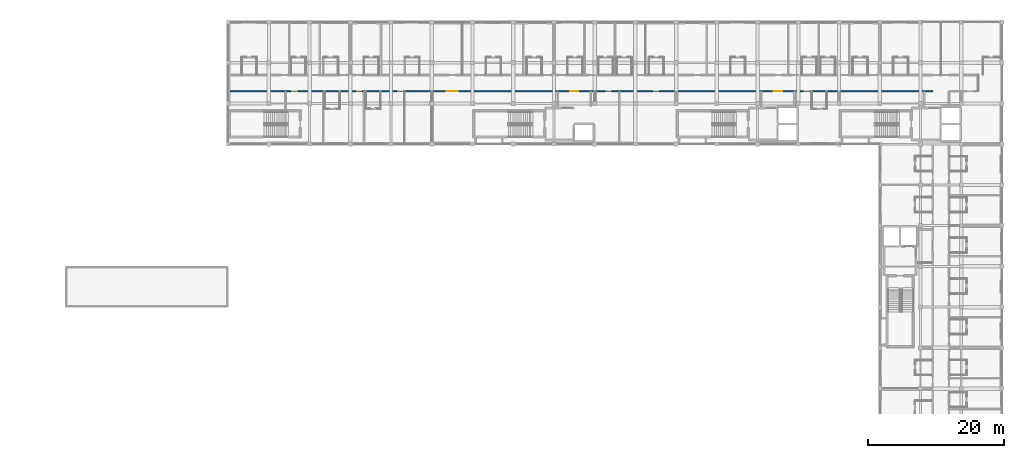
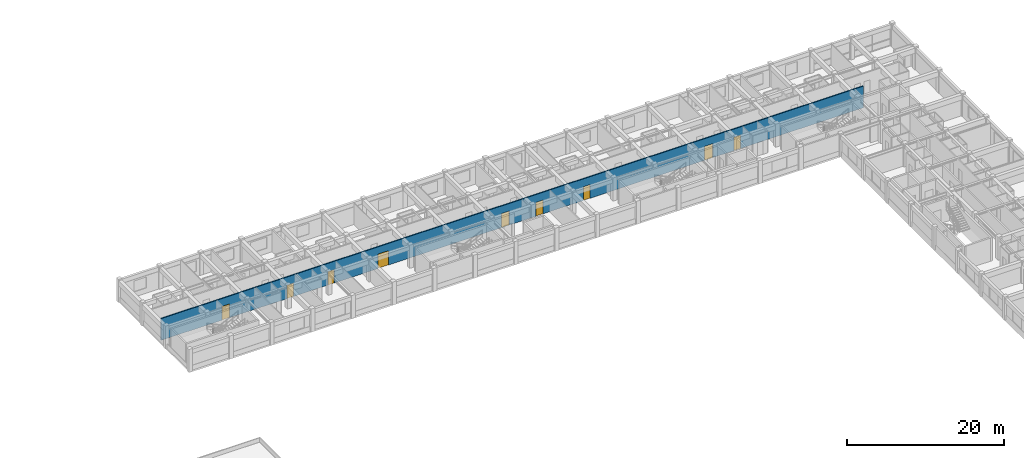
# One storey, part 7 of 25: 9 doors, 1 wall, 9 openings.
"""IFC4 building model written with IfcOpenShell, lengths in metres."""

from ifc_helpers import new_model, si_unit, direction, frame, frame_2d, origin, place, context, subcontext, project, spatial, rectangle, extrude, material, layer, layer_set, type_object, element, fill, save


model = new_model("IFC4")

# Units and contexts
model_context = context("Model", 3, precision=1e-05, world=origin(), true_north=direction((0.0, 1.0)))
body_context = subcontext(model_context, "Body", "Model", "MODEL_VIEW")
ifc_project = project(units=[si_unit("LENGTHUNIT", "METRE"), si_unit("AREAUNIT", "SQUARE_METRE"), si_unit("VOLUMEUNIT", "CUBIC_METRE"), si_unit("PLANEANGLEUNIT", "RADIAN"), si_unit("MASSUNIT", "GRAM", prefix="KILO"), si_unit("THERMODYNAMICTEMPERATUREUNIT", "KELVIN"), si_unit("POWERUNIT", "WATT")], contexts=[model_context])

# Site, building, storey
site_placement = place(None, origin())
site = spatial("IfcSite", under=ifc_project, at=site_placement, CompositionType="ELEMENT")
building_placement = place(site_placement, origin())
building = spatial("IfcBuilding", under=site, at=building_placement, Name="Phaisarnlok Congress Hotel", CompositionType="ELEMENT")
storey_placement = place(building_placement, frame((0.0, 0.0, 24.60009765625)))
storey = spatial("IfcBuildingStorey", under=building, at=storey_placement, Name="L05", CompositionType="ELEMENT", Elevation=24.60009765625)

# Wall, openings, doors
ifc_material_1 = material(Name="Double-Stud Acoustic Gypsum Partition", Category="gypsum")
ifc_layer = layer(ifc_material_1, 0.159912109375, Name="Double-Stud Acoustic Gypsum Partition")
ifc_layer_set = layer_set([ifc_layer], Name="Double-Stud Acoustic Gypsum Partition")
wall_type = type_object("IfcWallType", Name="WL-INT-160", PredefinedType="PARTITIONING", material=ifc_layer_set)
wall_placement = place(storey_placement, frame((66.2548828125, 115.800048828125, 0.0), z_axis=(0.0, 0.0, 1.0), x_axis=(1.0, 0.0, 0.0)))
wall = element("IfcWall", 1, at=wall_placement, inside=storey, type_object=wall_type, Name="Interior partition wall IW-04 (L05)", PredefinedType="PARTITIONING", context=body_context, shape_type="SweptSolid", body=[
    extrude(rectangle(XDim=103.545166015625, YDim=0.159912109375, at=frame_2d((51.7724609375, 0.0))), origin(), (0.0, 0.0, 1.0), 3.3798828125),
])
opening_1_placement = place(wall_placement, frame((80.14501953125, 0.0, 0.0)))
opening_1 = element("IfcOpeningElement", 2, at=opening_1_placement, cuts=wall, Name="Opening D-0140", PredefinedType="OPENING", context=body_context, shape_type="SweptSolid", body=[
    extrude(rectangle(XDim=1.199951171875, YDim=2.199951171875, at=frame_2d((0.60009765625, 1.10009765625))), frame((0.0, 0.08984375, 0.0), z_axis=(0.0, -1.0, 0.0), x_axis=(1.0, 0.0, 0.0)), (0.0, 0.0, 1.0), 0.179931640625),
])
opening_2_placement = place(wall_placement, frame((50.14501953125, 0.0, 0.0)))
opening_2 = element("IfcOpeningElement", 3, at=opening_2_placement, cuts=wall, Name="Opening D-0141", PredefinedType="OPENING", context=body_context, shape_type="SweptSolid", body=[
    extrude(rectangle(XDim=1.199951171875, YDim=2.199951171875, at=frame_2d((0.60009765625, 1.10009765625))), frame((0.0, 0.08984375, 0.0), z_axis=(0.0, -1.0, 0.0), x_axis=(1.0, 0.0, 0.0)), (0.0, 0.0, 1.0), 0.179931640625),
])
opening_3_placement = place(wall_placement, frame((8.9951171875, 0.0, 0.0)))
opening_3 = element("IfcOpeningElement", 4, at=opening_3_placement, cuts=wall, Name="Opening D-0143", PredefinedType="OPENING", context=body_context, shape_type="SweptSolid", body=[
    extrude(rectangle(XDim=1.10009765625, YDim=2.14990234375, at=frame_2d((0.550048828125, 1.074951171875))), frame((0.0, 0.08984375, 0.0), z_axis=(0.0, -1.0, 0.0), x_axis=(1.0, 0.0, 0.0)), (0.0, 0.0, 1.0), 0.179931640625),
])
opening_4_placement = place(wall_placement, frame((55.294921875, 0.0, 0.0)))
opening_4 = element("IfcOpeningElement", 5, at=opening_4_placement, cuts=wall, Name="Opening D-0144", PredefinedType="OPENING", context=body_context, shape_type="SweptSolid", body=[
    extrude(rectangle(XDim=1.0, YDim=2.14990234375, at=frame_2d((0.5, 1.074951171875))), frame((0.0, 0.08984375, 0.0), z_axis=(0.0, -1.0, 0.0), x_axis=(1.0, 0.0, 0.0)), (0.0, 0.0, 1.0), 0.179931640625),
])
opening_5_placement = place(wall_placement, frame((62.264892578125, 0.0, 0.0)))
opening_5 = element("IfcOpeningElement", 6, at=opening_5_placement, cuts=wall, Name="Opening D-0145", PredefinedType="OPENING", context=body_context, shape_type="SweptSolid", body=[
    extrude(rectangle(XDim=0.9599609375, YDim=2.14990234375, at=frame_2d((0.47998046875, 1.074951171875))), frame((0.0, 0.08984375, 0.0), z_axis=(0.0, -1.0, 0.0), x_axis=(1.0, 0.0, 0.0)), (0.0, 0.0, 1.0), 0.179931640625),
])
opening_6_placement = place(wall_placement, frame((31.945068359375, 0.0, 0.0)))
opening_6 = element("IfcOpeningElement", 7, at=opening_6_placement, cuts=wall, Name="Opening D-0146", PredefinedType="OPENING", context=body_context, shape_type="SweptSolid", body=[
    extrude(rectangle(XDim=1.60009765625, YDim=2.25, at=frame_2d((0.800048828125, 1.125))), frame((0.0, 0.08984375, 0.0), z_axis=(0.0, -1.0, 0.0), x_axis=(1.0, 0.0, 0.0)), (0.0, 0.0, 1.0), 0.179931640625),
])
opening_7_placement = place(wall_placement, frame((18.570068359375, 0.0, 0.0)))
opening_7 = element("IfcOpeningElement", 8, at=opening_7_placement, cuts=wall, Name="Opening D-0182", PredefinedType="OPENING", context=body_context, shape_type="SweptSolid", body=[
    extrude(rectangle(XDim=0.949951171875, YDim=2.10009765625, at=frame_2d((0.47509765625, 1.050048828125))), frame((0.0, 0.08984375, 0.0), z_axis=(0.0, -1.0, 0.0), x_axis=(1.0, 0.0, 0.0)), (0.0, 0.0, 1.0), 0.179931640625),
])
opening_8_placement = place(wall_placement, frame((24.570068359375, 0.0, 0.0)))
opening_8 = element("IfcOpeningElement", 9, at=opening_8_placement, cuts=wall, Name="Opening D-0184", PredefinedType="OPENING", context=body_context, shape_type="SweptSolid", body=[
    extrude(rectangle(XDim=0.949951171875, YDim=2.10009765625, at=frame_2d((0.47509765625, 1.050048828125))), frame((0.0, 0.08984375, 0.0), z_axis=(0.0, -1.0, 0.0), x_axis=(1.0, 0.0, 0.0)), (0.0, 0.0, 1.0), 0.179931640625),
])
opening_9_placement = place(wall_placement, frame((84.469970703125, 0.0, 0.0)))
opening_9 = element("IfcOpeningElement", 10, at=opening_9_placement, cuts=wall, Name="Opening D-0186", PredefinedType="OPENING", context=body_context, shape_type="SweptSolid", body=[
    extrude(rectangle(XDim=0.949951171875, YDim=2.10009765625, at=frame_2d((0.47509765625, 1.050048828125))), frame((0.0, 0.08984375, 0.0), z_axis=(0.0, -1.0, 0.0), x_axis=(1.0, 0.0, 0.0)), (0.0, 0.0, 1.0), 0.179931640625),
])
ifc_material_2 = material(Name="Acoustic Solid-Core Teak Veneer", Category="wood")
door_type_1 = type_object("IfcDoorType", Name="DR-FD30-950", OperationType="NOTDEFINED", PredefinedType="DOOR", material=ifc_material_2)
door_1_placement = place(opening_7_placement, origin())
door_1 = element("IfcDoor", 11, at=door_1_placement, inside=storey, type_object=door_type_1, Name="Interior door D-0182 (L05)", OperationType="SINGLE_SWING_RIGHT", OverallHeight=2.10009765625, OverallWidth=0.949951171875, PredefinedType="DOOR", context=body_context, shape_type="SweptSolid", body=[
    extrude(rectangle(XDim=0.949951171875, YDim=2.10009765625, at=frame_2d((0.47509765625, 1.050048828125))), frame((0.0, 0.02490234375, 0.0), z_axis=(0.0, -1.0, 0.0), x_axis=(1.0, 0.0, 0.0)), (0.0, 0.0, 1.0), 0.050048828125),
])
fill(opening_7, door_1)
door_2_placement = place(opening_8_placement, origin())
door_2 = element("IfcDoor", 12, at=door_2_placement, inside=storey, type_object=door_type_1, Name="Interior door D-0184 (L05)", OperationType="SINGLE_SWING_RIGHT", OverallHeight=2.10009765625, OverallWidth=0.949951171875, PredefinedType="DOOR", context=body_context, shape_type="SweptSolid", body=[
    extrude(rectangle(XDim=0.949951171875, YDim=2.10009765625, at=frame_2d((0.47509765625, 1.050048828125))), frame((0.0, 0.02490234375, 0.0), z_axis=(0.0, -1.0, 0.0), x_axis=(1.0, 0.0, 0.0)), (0.0, 0.0, 1.0), 0.050048828125),
])
fill(opening_8, door_2)
door_3_placement = place(opening_9_placement, origin())
door_3 = element("IfcDoor", 13, at=door_3_placement, inside=storey, type_object=door_type_1, Name="Interior door D-0186 (L05)", OperationType="SINGLE_SWING_RIGHT", OverallHeight=2.10009765625, OverallWidth=0.949951171875, PredefinedType="DOOR", context=body_context, shape_type="SweptSolid", body=[
    extrude(rectangle(XDim=0.949951171875, YDim=2.10009765625, at=frame_2d((0.47509765625, 1.050048828125))), frame((0.0, 0.02490234375, 0.0), z_axis=(0.0, -1.0, 0.0), x_axis=(1.0, 0.0, 0.0)), (0.0, 0.0, 1.0), 0.050048828125),
])
fill(opening_9, door_3)
ifc_material_3 = material(Name="Fire-Rated Steel Frame & Timber Leaf", Category="steel")
door_type_2 = type_object("IfcDoorType", Name="DR-FD60-1100", OperationType="NOTDEFINED", PredefinedType="DOOR", material=ifc_material_3)
door_4_placement = place(opening_3_placement, origin())
door_4 = element("IfcDoor", 14, at=door_4_placement, inside=storey, type_object=door_type_2, Name="Interior door D-0143 (L05)", OperationType="SINGLE_SWING_RIGHT", OverallHeight=2.14990234375, OverallWidth=1.10009765625, PredefinedType="DOOR", context=body_context, shape_type="SweptSolid", body=[
    extrude(rectangle(XDim=1.10009765625, YDim=2.14990234375, at=frame_2d((0.550048828125, 1.074951171875))), frame((0.0, 0.02490234375, 0.0), z_axis=(0.0, -1.0, 0.0), x_axis=(1.0, 0.0, 0.0)), (0.0, 0.0, 1.0), 0.050048828125),
])
fill(opening_3, door_4)
door_type_3 = type_object("IfcDoorType", Name="DR-FD60-1200", OperationType="NOTDEFINED", PredefinedType="DOOR", material=ifc_material_3)
door_5_placement = place(opening_1_placement, origin())
door_5 = element("IfcDoor", 15, at=door_5_placement, inside=storey, type_object=door_type_3, Name="Interior door D-0140 (L05)", OperationType="SINGLE_SWING_LEFT", OverallHeight=2.199951171875, OverallWidth=1.199951171875, PredefinedType="DOOR", context=body_context, shape_type="SweptSolid", body=[
    extrude(rectangle(XDim=1.199951171875, YDim=2.199951171875, at=frame_2d((0.60009765625, 1.10009765625))), frame((0.0, 0.02490234375, 0.0), z_axis=(0.0, -1.0, 0.0), x_axis=(1.0, 0.0, 0.0)), (0.0, 0.0, 1.0), 0.050048828125),
])
fill(opening_1, door_5)
door_6_placement = place(opening_2_placement, origin())
door_6 = element("IfcDoor", 16, at=door_6_placement, inside=storey, type_object=door_type_3, Name="Interior door D-0141 (L05)", OperationType="SINGLE_SWING_RIGHT", OverallHeight=2.199951171875, OverallWidth=1.199951171875, PredefinedType="DOOR", context=body_context, shape_type="SweptSolid", body=[
    extrude(rectangle(XDim=1.199951171875, YDim=2.199951171875, at=frame_2d((0.60009765625, 1.10009765625))), frame((0.0, 0.02490234375, 0.0), z_axis=(0.0, -1.0, 0.0), x_axis=(1.0, 0.0, 0.0)), (0.0, 0.0, 1.0), 0.050048828125),
])
fill(opening_2, door_6)
door_type_4 = type_object("IfcDoorType", Name="DR-FD60-950", OperationType="NOTDEFINED", PredefinedType="DOOR", material=ifc_material_3)
door_7_placement = place(opening_5_placement, origin())
door_7 = element("IfcDoor", 17, at=door_7_placement, inside=storey, type_object=door_type_4, Name="Interior door D-0145 (L05)", OperationType="SINGLE_SWING_RIGHT", OverallHeight=2.14990234375, OverallWidth=0.9599609375, PredefinedType="DOOR", context=body_context, shape_type="SweptSolid", body=[
    extrude(rectangle(XDim=0.9599609375, YDim=2.14990234375, at=frame_2d((0.47998046875, 1.074951171875))), frame((0.0, 0.02490234375, 0.0), z_axis=(0.0, -1.0, 0.0), x_axis=(1.0, 0.0, 0.0)), (0.0, 0.0, 1.0), 0.050048828125),
])
fill(opening_5, door_7)
ifc_material_4 = material(Name="Frameless Tempered Acoustic Glass", Category="glass")
door_type_5 = type_object("IfcDoorType", Name="DR-GLZ-1600", OperationType="DOUBLE_DOOR_SINGLE_SWING", PredefinedType="DOOR", material=ifc_material_4)
door_8_placement = place(opening_6_placement, origin())
door_8 = element("IfcDoor", 18, at=door_8_placement, inside=storey, type_object=door_type_5, Name="Interior door D-0146 (L05)", OperationType="DOUBLE_DOOR_SINGLE_SWING", OverallHeight=2.25, OverallWidth=1.60009765625, PredefinedType="DOOR", context=body_context, shape_type="SweptSolid", body=[
    extrude(rectangle(XDim=1.60009765625, YDim=2.25, at=frame_2d((0.800048828125, 1.125))), frame((0.0, 0.02490234375, 0.0), z_axis=(0.0, -1.0, 0.0), x_axis=(1.0, 0.0, 0.0)), (0.0, 0.0, 1.0), 0.050048828125),
])
fill(opening_6, door_8)
ifc_material_5 = material(Name="Solid-Core Oak Veneer", Category="wood")
door_type_6 = type_object("IfcDoorType", Name="DR-INT-1000", OperationType="NOTDEFINED", PredefinedType="DOOR", material=ifc_material_5)
door_9_placement = place(opening_4_placement, origin())
door_9 = element("IfcDoor", 19, at=door_9_placement, inside=storey, type_object=door_type_6, Name="Interior door D-0144 (L05)", OperationType="SINGLE_SWING_LEFT", OverallHeight=2.14990234375, OverallWidth=1.0, PredefinedType="DOOR", context=body_context, shape_type="SweptSolid", body=[
    extrude(rectangle(XDim=1.0, YDim=2.14990234375, at=frame_2d((0.5, 1.074951171875))), frame((0.0, 0.02490234375, 0.0), z_axis=(0.0, -1.0, 0.0), x_axis=(1.0, 0.0, 0.0)), (0.0, 0.0, 1.0), 0.050048828125),
])
fill(opening_4, door_9)

save(model, "model.ifc")
